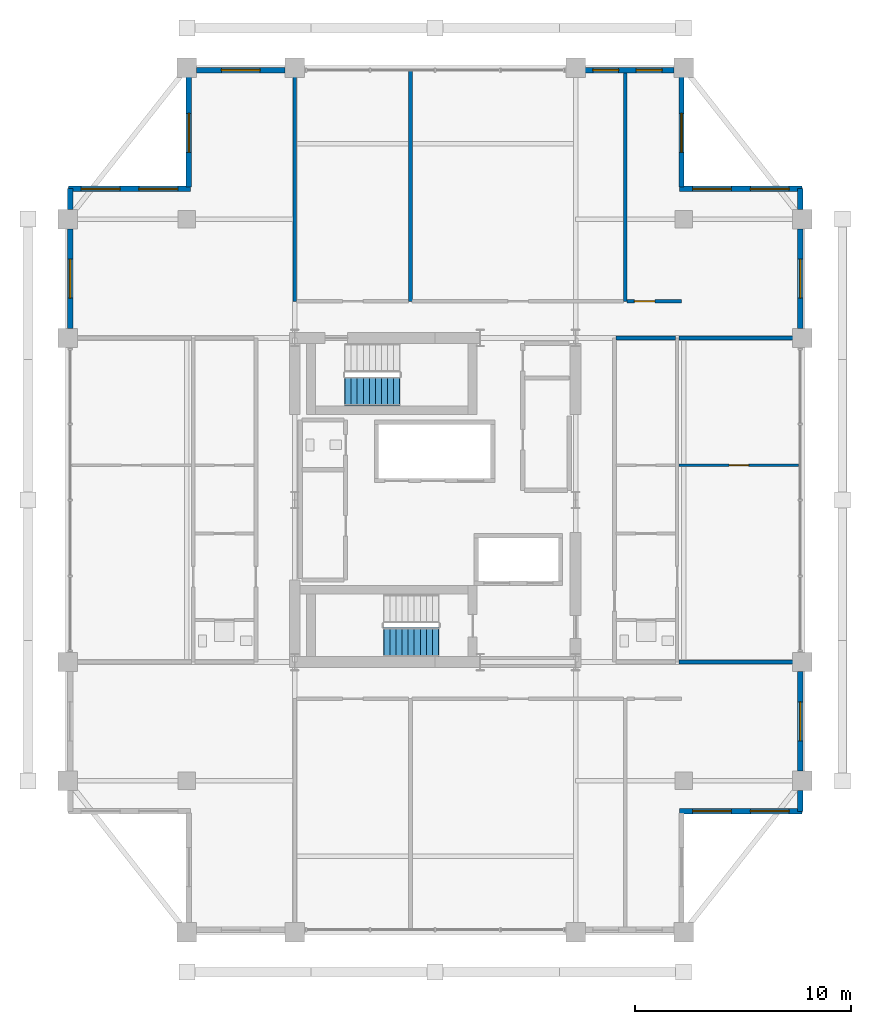
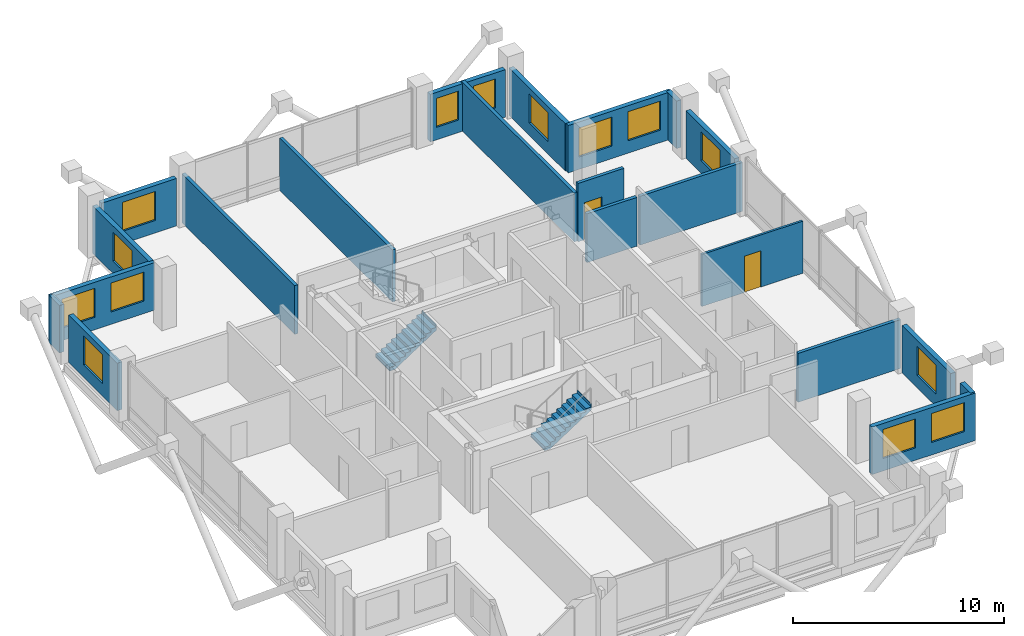
# One storey, part 20 of 23: 21 walls, 14 windows, 2 doors, 2 stair flights, 16 openings, 2 elements without a shape of their own.
"""IFC4 building model written with IfcOpenShell, lengths in metres."""

from ifc_helpers import new_model, si_unit, direction, frame, frame_2d, origin, place, context, subcontext, project, spatial, polyline, rectangle, outline, extrude, material, layer, layer_set, type_object, element, fill, aggregate, save


model = new_model("IFC4")

# Units and contexts
model_context = context("Model", 3, precision=1e-05, world=origin(), true_north=direction((0.0, 1.0)))
body_context = subcontext(model_context, "Body", "Model", "MODEL_VIEW")
ifc_project = project(units=[si_unit("LENGTHUNIT", "METRE"), si_unit("AREAUNIT", "SQUARE_METRE"), si_unit("VOLUMEUNIT", "CUBIC_METRE"), si_unit("PLANEANGLEUNIT", "RADIAN"), si_unit("MASSUNIT", "GRAM", prefix="KILO")], contexts=[model_context])

# Site, building, storey
site_placement = place(None, origin())
site = spatial("IfcSite", under=ifc_project, at=site_placement, CompositionType="ELEMENT")
building_placement = place(site_placement, origin())
building = spatial("IfcBuilding", under=site, at=building_placement, Name="Barlavira Tower and Art Museum", CompositionType="ELEMENT")
storey_placement = place(building_placement, frame((0.0, 0.0, 290.699951171875)))
storey = spatial("IfcBuildingStorey", under=building, at=storey_placement, Name="L76", CompositionType="ELEMENT", Elevation=290.699951171875)

# Wall, opening, door
ifc_material_1 = material(Name="Gypsum acoustic stud partition", Category="gypsum")
ifc_layer_1 = layer(ifc_material_1, 0.1201171875, Name="Gypsum acoustic stud partition")
ifc_layer_set_1 = layer_set([ifc_layer_1], Name="Gypsum acoustic stud partition")
wall_type_1 = type_object("IfcWallType", Name="Apartment Internal Acoustic Partition 120", PredefinedType="PARTITIONING", material=ifc_layer_set_1)
wall_1_placement = place(storey_placement, frame((11.280029296875, 1.60009765625, 0.0), z_axis=(0.0, 0.0, 1.0), x_axis=(1.0, 0.0, 0.0)))
wall_1 = element("IfcWall", 1, at=wall_1_placement, inside=storey, type_object=wall_type_1, Name="L76 Partition Wall 32", PredefinedType="PARTITIONING", context=body_context, shape_type="SweptSolid", body=[
    extrude(rectangle(XDim=5.5400390625, YDim=0.1201171875, at=frame_2d((2.77001953125, 0.0))), origin(), (0.0, 0.0, 1.0), 3.01806640625),
])
opening_1_placement = place(wall_1_placement, frame((2.330078125, 0.0, 0.0)))
opening_1 = element("IfcOpeningElement", 2, at=opening_1_placement, cuts=wall_1, Name="Opening D-01", PredefinedType="OPENING", context=body_context, shape_type="SweptSolid", body=[
    extrude(rectangle(XDim=0.89990234375, YDim=2.10009765625, at=frame_2d((0.449951171875, 1.050048828125))), frame((0.0, 0.070068359375, 0.0), z_axis=(0.0, -1.0, 0.0), x_axis=(1.0, 0.0, 0.0)), (0.0, 0.0, 1.0), 0.14013671875),
])
ifc_material_2 = material(Name="Engineered coastal hardwood", Category="wood")
door_type_1 = type_object("IfcDoorType", Name="Internal Bedroom Timber Flush Door 900x2100", OperationType="NOTDEFINED", PredefinedType="DOOR", material=ifc_material_2)
door_1_placement = place(opening_1_placement, origin())
door_1 = element("IfcDoor", 3, at=door_1_placement, inside=storey, type_object=door_type_1, Name="Apartment E1 Bedroom 1 Door", OperationType="SINGLE_SWING_LEFT", OverallHeight=2.10009765625, OverallWidth=0.89990234375, PredefinedType="DOOR", context=body_context, shape_type="SweptSolid", body=[
    extrude(rectangle(XDim=0.89990234375, YDim=2.10009765625, at=frame_2d((0.449951171875, 1.050048828125))), frame((0.0, 0.02490234375, 0.0), z_axis=(0.0, -1.0, 0.0), x_axis=(1.0, 0.0, 0.0)), (0.0, 0.0, 1.0), 0.050048828125),
])
fill(opening_1, door_1)

# Walls
ifc_layer_2 = layer(ifc_material_1, 0.179931640625, Name="Gypsum acoustic stud partition")
ifc_layer_set_2 = layer_set([ifc_layer_2], Name="Gypsum acoustic stud partition")
wall_type_2 = type_object("IfcWallType", Name="Inter-Tenancy Party Partition Wall 180", PredefinedType="PARTITIONING", material=ifc_layer_set_2)
wall_2_placement = place(storey_placement, frame((-6.5, 9.199951171875, 0.0), z_axis=(0.0, 0.0, 1.0), x_axis=(0.0, 1.0, 0.0)))
element("IfcWall", 4, at=wall_2_placement, inside=storey, type_object=wall_type_2, Name="L76 Partition Wall 4", PredefinedType="PARTITIONING", context=body_context, shape_type="SweptSolid", body=[
    extrude(rectangle(XDim=10.699951171875, YDim=0.179931640625, at=frame_2d((5.35009765625, 0.0))), origin(), (0.0, 0.0, 1.0), 2.825927734375),
])
wall_3_placement = place(storey_placement, frame((-1.14990234375, 9.199951171875, 0.0), z_axis=(0.0, 0.0, 1.0), x_axis=(0.0, 1.0, 0.0)))
element("IfcWall", 5, at=wall_3_placement, inside=storey, type_object=wall_type_2, Name="L76 Partition Wall 8", PredefinedType="PARTITIONING", context=body_context, shape_type="SweptSolid", body=[
    extrude(rectangle(XDim=10.699951171875, YDim=0.179931640625, at=frame_2d((5.35009765625, 0.0))), origin(), (0.0, 0.0, 1.0), 3.01806640625),
])
wall_4_placement = place(storey_placement, frame((8.800048828125, 9.199951171875, 0.0), z_axis=(0.0, 0.0, 1.0), x_axis=(0.0, 1.0, 0.0)))
element("IfcWall", 6, at=wall_4_placement, inside=storey, type_object=wall_type_2, Name="L76 Partition Wall 13", PredefinedType="PARTITIONING", context=body_context, shape_type="SweptSolid", body=[
    extrude(rectangle(XDim=10.699951171875, YDim=0.179931640625, at=frame_2d((5.35009765625, 0.0))), origin(), (0.0, 0.0, 1.0), 2.825927734375),
])
wall_5_placement = place(storey_placement, frame((11.280029296875, -7.5, 0.0), z_axis=(0.0, 0.0, 1.0), x_axis=(1.0, 0.0, 0.0)))
element("IfcWall", 7, at=wall_5_placement, inside=storey, type_object=wall_type_2, Name="L76 Partition Wall 21", PredefinedType="PARTITIONING", context=body_context, shape_type="SweptSolid", body=[
    extrude(rectangle(XDim=5.619873046875, YDim=0.179931640625, at=frame_2d((2.81005859375, 0.0))), origin(), (0.0, 0.0, 1.0), 2.825927734375),
])
wall_6_placement = place(storey_placement, frame((8.3798828125, 7.5, 0.0), z_axis=(0.0, 0.0, 1.0), x_axis=(1.0, 0.0, 0.0)))
element("IfcWall", 8, at=wall_6_placement, inside=storey, type_object=wall_type_2, Name="L76 Partition Wall 38", PredefinedType="PARTITIONING", context=body_context, shape_type="SweptSolid", body=[
    extrude(rectangle(XDim=2.740234375, YDim=0.179931640625, at=frame_2d((1.3701171875, 0.0))), origin(), (0.0, 0.0, 1.0), 2.825927734375),
])
wall_7_placement = place(storey_placement, frame((11.280029296875, 7.5, 0.0), z_axis=(0.0, 0.0, 1.0), x_axis=(1.0, 0.0, 0.0)))
element("IfcWall", 9, at=wall_7_placement, inside=storey, type_object=wall_type_2, Name="L76 Partition Wall 39", PredefinedType="PARTITIONING", context=body_context, shape_type="SweptSolid", body=[
    extrude(rectangle(XDim=5.619873046875, YDim=0.179931640625, at=frame_2d((2.81005859375, 0.0))), origin(), (0.0, 0.0, 1.0), 2.825927734375),
])

# Wall, opening, door
wall_8_placement = place(storey_placement, frame((8.8798828125, 9.199951171875, 0.0), z_axis=(0.0, 0.0, 1.0), x_axis=(1.0, 0.0, 0.0)))
wall_8 = element("IfcWall", 10, at=wall_8_placement, inside=storey, type_object=wall_type_2, Name="L76 Partition Wall 42", PredefinedType="PARTITIONING", context=body_context, shape_type="SweptSolid", body=[
    extrude(rectangle(XDim=2.52001953125, YDim=0.179931640625, at=frame_2d((1.260009765625, 0.0))), origin(), (0.0, 0.0, 1.0), 3.380126953125),
])
opening_2_placement = place(wall_8_placement, frame((0.344970703125, 0.0, 0.0)))
opening_2 = element("IfcOpeningElement", 11, at=opening_2_placement, cuts=wall_8, Name="Opening FD-60", PredefinedType="OPENING", context=body_context, shape_type="SweptSolid", body=[
    extrude(rectangle(XDim=0.949951171875, YDim=2.14990234375, at=frame_2d((0.47509765625, 1.074951171875))), frame((0.0, 0.10009765625, 0.0), z_axis=(0.0, -1.0, 0.0), x_axis=(1.0, 0.0, 0.0)), (0.0, 0.0, 1.0), 0.199951171875),
])
ifc_material_3 = material(Name="Brushed stainless steel", Category="steel")
door_type_2 = type_object("IfcDoorType", Name="Apartment Entrance and Riser Fire Door 950x2150 FD60S", OperationType="NOTDEFINED", PredefinedType="DOOR", material=ifc_material_3)
door_2_placement = place(opening_2_placement, origin())
door_2 = element("IfcDoor", 12, at=door_2_placement, inside=storey, type_object=door_type_2, Name="Shared Coworking Espresso Pantry Door", OperationType="SINGLE_SWING_LEFT", OverallHeight=2.14990234375, OverallWidth=0.949951171875, PredefinedType="DOOR", context=body_context, shape_type="SweptSolid", body=[
    extrude(rectangle(XDim=0.949951171875, YDim=2.14990234375, at=frame_2d((0.47509765625, 1.074951171875))), frame((0.0, 0.02490234375, 0.0), z_axis=(0.0, -1.0, 0.0), x_axis=(1.0, 0.0, 0.0)), (0.0, 0.0, 1.0), 0.050048828125),
])
fill(opening_2, door_2)

# Wall, openings, windows
ifc_material_4 = material(Name="Precast concrete C40", Category="concrete")
ifc_layer_3 = layer(ifc_material_4, 0.25, Name="Precast concrete C40")
ifc_layer_set_3 = layer_set([ifc_layer_3], Name="Precast concrete C40")
wall_type_3 = type_object("IfcWallType", Name="Notched Corner Spandrel Wall 250 Precast Concrete C40", PredefinedType="SOLIDWALL", material=ifc_layer_set_3)
wall_9_placement = place(storey_placement, frame((11.054931640625, 19.89990234375, 0.0), z_axis=(0.0, 0.0, 1.0), x_axis=(-1.0, 0.0, 0.0)))
wall_9 = element("IfcWall", 13, at=wall_9_placement, inside=storey, type_object=wall_type_3, Name="L76 Coastal Facade Pier Wall CW4-L76-N-1", PredefinedType="SOLIDWALL", context=body_context, shape_type="SweptSolid", body=[
    extrude(rectangle(XDim=4.10986328125, YDim=0.25, at=frame_2d((2.054931640625, 0.0))), origin(), (0.0, 0.0, 1.0), 2.748046875),
])
opening_3_placement = place(wall_9_placement, frame((0.550048828125, 0.0, 0.719970703125)))
opening_3 = element("IfcOpeningElement", 14, at=opening_3_placement, cuts=wall_9, Name="Opening WN-05", PredefinedType="OPENING", context=body_context, shape_type="SweptSolid", body=[
    extrude(rectangle(XDim=1.199951171875, YDim=1.679931640625, at=frame_2d((0.60009765625, 0.83984375))), frame((0.0, 0.135009765625, 0.0), z_axis=(0.0, -1.0, 0.0), x_axis=(1.0, 0.0, 0.0)), (0.0, 0.0, 1.0), 0.27001953125),
])
opening_4_placement = place(wall_9_placement, frame((2.56005859375, 0.0, 0.719970703125)))
opening_4 = element("IfcOpeningElement", 15, at=opening_4_placement, cuts=wall_9, Name="Opening WN-05", PredefinedType="OPENING", context=body_context, shape_type="SweptSolid", body=[
    extrude(rectangle(XDim=1.199951171875, YDim=1.679931640625, at=frame_2d((0.60009765625, 0.83984375))), frame((0.0, 0.135009765625, 0.0), z_axis=(0.0, -1.0, 0.0), x_axis=(1.0, 0.0, 0.0)), (0.0, 0.0, 1.0), 0.27001953125),
])
ifc_material_5 = material(Name="Low-iron coastal laminated glass", Category="glass")
window_type_1 = type_object("IfcWindowType", Name="Recessed Flank Pier Punch Window 1200x1680", PartitioningType="SINGLE_PANEL", PredefinedType="WINDOW", material=ifc_material_5)
window_1_placement = place(opening_3_placement, origin())
window_1 = element("IfcWindow", 16, at=window_1_placement, inside=storey, type_object=window_type_1, Name="L76 Punched Facade Window EWP-CW4-L76-N-1-1", OverallHeight=1.679931640625, OverallWidth=1.199951171875, PartitioningType="SINGLE_PANEL", PredefinedType="WINDOW", context=body_context, shape_type="SweptSolid", body=[
    extrude(rectangle(XDim=1.199951171875, YDim=1.679931640625, at=frame_2d((0.60009765625, 0.83984375))), frame((0.0, 0.030029296875, 0.0), z_axis=(0.0, -1.0, 0.0), x_axis=(1.0, 0.0, 0.0)), (0.0, 0.0, 1.0), 0.06005859375),
])
fill(opening_3, window_1)
window_2_placement = place(opening_4_placement, origin())
window_2 = element("IfcWindow", 17, at=window_2_placement, inside=storey, type_object=window_type_1, Name="L76 Punched Facade Window EWP-CW4-L76-N-1-2", OverallHeight=1.679931640625, OverallWidth=1.199951171875, PartitioningType="SINGLE_PANEL", PredefinedType="WINDOW", context=body_context, shape_type="SweptSolid", body=[
    extrude(rectangle(XDim=1.199951171875, YDim=1.679931640625, at=frame_2d((0.60009765625, 0.83984375))), frame((0.0, 0.030029296875, 0.0), z_axis=(0.0, -1.0, 0.0), x_axis=(1.0, 0.0, 0.0)), (0.0, 0.0, 1.0), 0.06005859375),
])
fill(opening_4, window_2)

# Wall, opening, window
wall_10_placement = place(storey_placement, frame((-6.945068359375, 19.89990234375, 0.0), z_axis=(0.0, 0.0, 1.0), x_axis=(-1.0, 0.0, 0.0)))
wall_10 = element("IfcWall", 18, at=wall_10_placement, inside=storey, type_object=wall_type_3, Name="L76 Coastal Facade Pier Wall CW4-L76-N-3", PredefinedType="SOLIDWALL", context=body_context, shape_type="SweptSolid", body=[
    extrude(rectangle(XDim=4.10986328125, YDim=0.25, at=frame_2d((2.054931640625, 0.0))), origin(), (0.0, 0.0, 1.0), 2.748046875),
])
opening_5_placement = place(wall_10_placement, frame((1.155029296875, 0.0, 0.719970703125)))
opening_5 = element("IfcOpeningElement", 19, at=opening_5_placement, cuts=wall_10, Name="Opening WN-01", PredefinedType="OPENING", context=body_context, shape_type="SweptSolid", body=[
    extrude(rectangle(XDim=1.800048828125, YDim=1.679931640625, at=frame_2d((0.89990234375, 0.83984375))), frame((0.0, 0.135009765625, 0.0), z_axis=(0.0, -1.0, 0.0), x_axis=(1.0, 0.0, 0.0)), (0.0, 0.0, 1.0), 0.27001953125),
])
window_type_2 = type_object("IfcWindowType", Name="Recessed Notch Corner Punch Window 1800x1680", PartitioningType="SINGLE_PANEL", PredefinedType="WINDOW", material=ifc_material_5)
window_3_placement = place(opening_5_placement, origin())
window_3 = element("IfcWindow", 20, at=window_3_placement, inside=storey, type_object=window_type_2, Name="L76 Punched Facade Window EWP-CW4-L76-N-3-1", OverallHeight=1.679931640625, OverallWidth=1.800048828125, PartitioningType="SINGLE_PANEL", PredefinedType="WINDOW", context=body_context, shape_type="SweptSolid", body=[
    extrude(rectangle(XDim=1.800048828125, YDim=1.679931640625, at=frame_2d((0.89990234375, 0.83984375))), frame((0.0, 0.030029296875, 0.0), z_axis=(0.0, -1.0, 0.0), x_axis=(1.0, 0.0, 0.0)), (0.0, 0.0, 1.0), 0.06005859375),
])
fill(opening_5, window_3)

# Wall
wall_11_placement = place(storey_placement, frame((-16.89990234375, 14.425048828125, 0.0), z_axis=(0.0, 0.0, 1.0), x_axis=(0.0, -1.0, 0.0)))
element("IfcWall", 21, at=wall_11_placement, inside=storey, type_object=wall_type_3, Name="L76 Coastal Facade Pier Wall CW4-L76-W-1", PredefinedType="SOLIDWALL", context=body_context, shape_type="SweptSolid", body=[
    extrude(rectangle(XDim=0.97998046875, YDim=0.25, at=frame_2d((0.489990234375, 0.0))), origin(), (0.0, 0.0, 1.0), 2.748046875),
])

# Wall, opening, window
wall_12_placement = place(storey_placement, frame((-16.89990234375, 12.554931640625, 0.0), z_axis=(0.0, 0.0, 1.0), x_axis=(0.0, -1.0, 0.0)))
wall_12 = element("IfcWall", 22, at=wall_12_placement, inside=storey, type_object=wall_type_3, Name="L76 Coastal Facade Pier Wall CW4-L76-W-2", PredefinedType="SOLIDWALL", context=body_context, shape_type="SweptSolid", body=[
    extrude(rectangle(XDim=4.60986328125, YDim=0.25, at=frame_2d((2.304931640625, 0.0))), origin(), (0.0, 0.0, 1.0), 2.748046875),
])
opening_6_placement = place(wall_12_placement, frame((1.405029296875, 0.0, 0.719970703125)))
opening_6 = element("IfcOpeningElement", 23, at=opening_6_placement, cuts=wall_12, Name="Opening WN-01", PredefinedType="OPENING", context=body_context, shape_type="SweptSolid", body=[
    extrude(rectangle(XDim=1.800048828125, YDim=1.679931640625, at=frame_2d((0.89990234375, 0.83984375))), frame((0.0, 0.135009765625, 0.0), z_axis=(0.0, -1.0, 0.0), x_axis=(1.0, 0.0, 0.0)), (0.0, 0.0, 1.0), 0.27001953125),
])
window_4_placement = place(opening_6_placement, origin())
window_4 = element("IfcWindow", 24, at=window_4_placement, inside=storey, type_object=window_type_2, Name="L76 Punched Facade Window EWP-CW4-L76-W-2-1", OverallHeight=1.679931640625, OverallWidth=1.800048828125, PartitioningType="SINGLE_PANEL", PredefinedType="WINDOW", context=body_context, shape_type="SweptSolid", body=[
    extrude(rectangle(XDim=1.800048828125, YDim=1.679931640625, at=frame_2d((0.89990234375, 0.83984375))), frame((0.0, 0.030029296875, 0.0), z_axis=(0.0, -1.0, 0.0), x_axis=(1.0, 0.0, 0.0)), (0.0, 0.0, 1.0), 0.06005859375),
])
fill(opening_6, window_4)

# Wall
wall_13_placement = place(storey_placement, frame((16.89990234375, -14.425048828125, 0.0), z_axis=(0.0, 0.0, 1.0), x_axis=(0.0, 1.0, 0.0)))
element("IfcWall", 25, at=wall_13_placement, inside=storey, type_object=wall_type_3, Name="L76 Coastal Facade Pier Wall CW4-L76-E-1", PredefinedType="SOLIDWALL", context=body_context, shape_type="SweptSolid", body=[
    extrude(rectangle(XDim=0.97998046875, YDim=0.25, at=frame_2d((0.489990234375, 0.0))), origin(), (0.0, 0.0, 1.0), 2.748046875),
])

# Wall, opening, window
wall_14_placement = place(storey_placement, frame((16.89990234375, -12.554931640625, 0.0), z_axis=(0.0, 0.0, 1.0), x_axis=(0.0, 1.0, 0.0)))
wall_14 = element("IfcWall", 26, at=wall_14_placement, inside=storey, type_object=wall_type_3, Name="L76 Coastal Facade Pier Wall CW4-L76-E-2", PredefinedType="SOLIDWALL", context=body_context, shape_type="SweptSolid", body=[
    extrude(rectangle(XDim=4.60986328125, YDim=0.25, at=frame_2d((2.304931640625, 0.0))), origin(), (0.0, 0.0, 1.0), 2.748046875),
])
opening_7_placement = place(wall_14_placement, frame((1.405029296875, 0.0, 0.719970703125)))
opening_7 = element("IfcOpeningElement", 27, at=opening_7_placement, cuts=wall_14, Name="Opening WN-01", PredefinedType="OPENING", context=body_context, shape_type="SweptSolid", body=[
    extrude(rectangle(XDim=1.800048828125, YDim=1.679931640625, at=frame_2d((0.89990234375, 0.83984375))), frame((0.0, 0.135009765625, 0.0), z_axis=(0.0, -1.0, 0.0), x_axis=(1.0, 0.0, 0.0)), (0.0, 0.0, 1.0), 0.27001953125),
])
window_5_placement = place(opening_7_placement, origin())
window_5 = element("IfcWindow", 28, at=window_5_placement, inside=storey, type_object=window_type_2, Name="L76 Punched Facade Window EWP-CW4-L76-E-2-1", OverallHeight=1.679931640625, OverallWidth=1.800048828125, PartitioningType="SINGLE_PANEL", PredefinedType="WINDOW", context=body_context, shape_type="SweptSolid", body=[
    extrude(rectangle(XDim=1.800048828125, YDim=1.679931640625, at=frame_2d((0.89990234375, 0.83984375))), frame((0.0, 0.030029296875, 0.0), z_axis=(0.0, -1.0, 0.0), x_axis=(1.0, 0.0, 0.0)), (0.0, 0.0, 1.0), 0.06005859375),
])
fill(opening_7, window_5)

wall_15_placement = place(storey_placement, frame((16.89990234375, 7.945068359375, 0.0), z_axis=(0.0, 0.0, 1.0), x_axis=(0.0, 1.0, 0.0)))
wall_15 = element("IfcWall", 29, at=wall_15_placement, inside=storey, type_object=wall_type_3, Name="L76 Coastal Facade Pier Wall CW4-L76-E-4", PredefinedType="SOLIDWALL", context=body_context, shape_type="SweptSolid", body=[
    extrude(rectangle(XDim=4.60986328125, YDim=0.25, at=frame_2d((2.304931640625, 0.0))), origin(), (0.0, 0.0, 1.0), 2.748046875),
])
opening_8_placement = place(wall_15_placement, frame((1.405029296875, 0.0, 0.719970703125)))
opening_8 = element("IfcOpeningElement", 30, at=opening_8_placement, cuts=wall_15, Name="Opening WN-01", PredefinedType="OPENING", context=body_context, shape_type="SweptSolid", body=[
    extrude(rectangle(XDim=1.800048828125, YDim=1.679931640625, at=frame_2d((0.89990234375, 0.83984375))), frame((0.0, 0.135009765625, 0.0), z_axis=(0.0, -1.0, 0.0), x_axis=(1.0, 0.0, 0.0)), (0.0, 0.0, 1.0), 0.27001953125),
])
window_6_placement = place(opening_8_placement, origin())
window_6 = element("IfcWindow", 31, at=window_6_placement, inside=storey, type_object=window_type_2, Name="L76 Punched Facade Window EWP-CW4-L76-E-4-1", OverallHeight=1.679931640625, OverallWidth=1.800048828125, PartitioningType="SINGLE_PANEL", PredefinedType="WINDOW", context=body_context, shape_type="SweptSolid", body=[
    extrude(rectangle(XDim=1.800048828125, YDim=1.679931640625, at=frame_2d((0.89990234375, 0.83984375))), frame((0.0, 0.030029296875, 0.0), z_axis=(0.0, -1.0, 0.0), x_axis=(1.0, 0.0, 0.0)), (0.0, 0.0, 1.0), 0.06005859375),
])
fill(opening_8, window_6)

# Wall
wall_16_placement = place(storey_placement, frame((16.89990234375, 13.445068359375, 0.0), z_axis=(0.0, 0.0, 1.0), x_axis=(0.0, 1.0, 0.0)))
element("IfcWall", 32, at=wall_16_placement, inside=storey, type_object=wall_type_3, Name="L76 Coastal Facade Pier Wall CW4-L76-E-5", PredefinedType="SOLIDWALL", context=body_context, shape_type="SweptSolid", body=[
    extrude(rectangle(XDim=0.97998046875, YDim=0.25, at=frame_2d((0.489990234375, 0.0))), origin(), (0.0, 0.0, 1.0), 2.748046875),
])

# Wall, openings, windows
wall_17_placement = place(storey_placement, frame((11.320068359375, -14.39990234375, 0.0), z_axis=(0.0, 0.0, 1.0), x_axis=(1.0, 0.0, 0.0)))
wall_17 = element("IfcWall", 33, at=wall_17_placement, inside=storey, type_object=wall_type_3, Name="L76 Notch Corner Wall SE2", PredefinedType="SOLIDWALL", context=body_context, shape_type="SweptSolid", body=[
    extrude(rectangle(XDim=5.659912109375, YDim=0.25, at=frame_2d((2.830078125, 0.0))), origin(), (0.0, 0.0, 1.0), 2.748046875),
])
opening_9_placement = place(wall_17_placement, frame((0.594970703125, 0.0, 0.719970703125)))
opening_9 = element("IfcOpeningElement", 34, at=opening_9_placement, cuts=wall_17, Name="Opening WN-01", PredefinedType="OPENING", context=body_context, shape_type="SweptSolid", body=[
    extrude(rectangle(XDim=1.800048828125, YDim=1.679931640625, at=frame_2d((0.89990234375, 0.83984375))), frame((0.0, 0.135009765625, 0.0), z_axis=(0.0, -1.0, 0.0), x_axis=(1.0, 0.0, 0.0)), (0.0, 0.0, 1.0), 0.27001953125),
])
opening_10_placement = place(wall_17_placement, frame((3.264892578125, 0.0, 0.719970703125)))
opening_10 = element("IfcOpeningElement", 35, at=opening_10_placement, cuts=wall_17, Name="Opening WN-01", PredefinedType="OPENING", context=body_context, shape_type="SweptSolid", body=[
    extrude(rectangle(XDim=1.800048828125, YDim=1.679931640625, at=frame_2d((0.89990234375, 0.83984375))), frame((0.0, 0.135009765625, 0.0), z_axis=(0.0, -1.0, 0.0), x_axis=(1.0, 0.0, 0.0)), (0.0, 0.0, 1.0), 0.27001953125),
])
window_7_placement = place(opening_9_placement, origin())
window_7 = element("IfcWindow", 36, at=window_7_placement, inside=storey, type_object=window_type_2, Name="L76 Punched Facade Window EW-NTC-L76-SE2-1", OverallHeight=1.679931640625, OverallWidth=1.800048828125, PartitioningType="SINGLE_PANEL", PredefinedType="WINDOW", context=body_context, shape_type="SweptSolid", body=[
    extrude(rectangle(XDim=1.800048828125, YDim=1.679931640625, at=frame_2d((0.89990234375, 0.83984375))), frame((0.0, 0.030029296875, 0.0), z_axis=(0.0, -1.0, 0.0), x_axis=(1.0, 0.0, 0.0)), (0.0, 0.0, 1.0), 0.06005859375),
])
fill(opening_9, window_7)
window_8_placement = place(opening_10_placement, origin())
window_8 = element("IfcWindow", 37, at=window_8_placement, inside=storey, type_object=window_type_2, Name="L76 Punched Facade Window EW-NTC-L76-SE2-2", OverallHeight=1.679931640625, OverallWidth=1.800048828125, PartitioningType="SINGLE_PANEL", PredefinedType="WINDOW", context=body_context, shape_type="SweptSolid", body=[
    extrude(rectangle(XDim=1.800048828125, YDim=1.679931640625, at=frame_2d((0.89990234375, 0.83984375))), frame((0.0, 0.030029296875, 0.0), z_axis=(0.0, -1.0, 0.0), x_axis=(1.0, 0.0, 0.0)), (0.0, 0.0, 1.0), 0.06005859375),
])
fill(opening_10, window_8)

wall_18_placement = place(storey_placement, frame((16.97998046875, 14.39990234375, 0.0), z_axis=(0.0, 0.0, 1.0), x_axis=(-1.0, 0.0, 0.0)))
wall_18 = element("IfcWall", 38, at=wall_18_placement, inside=storey, type_object=wall_type_3, Name="L76 Notch Corner Wall NE1", PredefinedType="SOLIDWALL", context=body_context, shape_type="SweptSolid", body=[
    extrude(rectangle(XDim=5.659912109375, YDim=0.25, at=frame_2d((2.830078125, 0.0))), origin(), (0.0, 0.0, 1.0), 2.748046875),
])
opening_11_placement = place(wall_18_placement, frame((0.594970703125, 0.0, 0.719970703125)))
opening_11 = element("IfcOpeningElement", 39, at=opening_11_placement, cuts=wall_18, Name="Opening WN-01", PredefinedType="OPENING", context=body_context, shape_type="SweptSolid", body=[
    extrude(rectangle(XDim=1.800048828125, YDim=1.679931640625, at=frame_2d((0.89990234375, 0.83984375))), frame((0.0, 0.135009765625, 0.0), z_axis=(0.0, -1.0, 0.0), x_axis=(1.0, 0.0, 0.0)), (0.0, 0.0, 1.0), 0.27001953125),
])
opening_12_placement = place(wall_18_placement, frame((3.264892578125, 0.0, 0.719970703125)))
opening_12 = element("IfcOpeningElement", 40, at=opening_12_placement, cuts=wall_18, Name="Opening WN-01", PredefinedType="OPENING", context=body_context, shape_type="SweptSolid", body=[
    extrude(rectangle(XDim=1.800048828125, YDim=1.679931640625, at=frame_2d((0.89990234375, 0.83984375))), frame((0.0, 0.135009765625, 0.0), z_axis=(0.0, -1.0, 0.0), x_axis=(1.0, 0.0, 0.0)), (0.0, 0.0, 1.0), 0.27001953125),
])
window_9_placement = place(opening_11_placement, origin())
window_9 = element("IfcWindow", 41, at=window_9_placement, inside=storey, type_object=window_type_2, Name="L76 Punched Facade Window EW-NTC-L76-NE1-1", OverallHeight=1.679931640625, OverallWidth=1.800048828125, PartitioningType="SINGLE_PANEL", PredefinedType="WINDOW", context=body_context, shape_type="SweptSolid", body=[
    extrude(rectangle(XDim=1.800048828125, YDim=1.679931640625, at=frame_2d((0.89990234375, 0.83984375))), frame((0.0, 0.030029296875, 0.0), z_axis=(0.0, -1.0, 0.0), x_axis=(1.0, 0.0, 0.0)), (0.0, 0.0, 1.0), 0.06005859375),
])
fill(opening_11, window_9)
window_10_placement = place(opening_12_placement, origin())
window_10 = element("IfcWindow", 42, at=window_10_placement, inside=storey, type_object=window_type_2, Name="L76 Punched Facade Window EW-NTC-L76-NE1-2", OverallHeight=1.679931640625, OverallWidth=1.800048828125, PartitioningType="SINGLE_PANEL", PredefinedType="WINDOW", context=body_context, shape_type="SweptSolid", body=[
    extrude(rectangle(XDim=1.800048828125, YDim=1.679931640625, at=frame_2d((0.89990234375, 0.83984375))), frame((0.0, 0.030029296875, 0.0), z_axis=(0.0, -1.0, 0.0), x_axis=(1.0, 0.0, 0.0)), (0.0, 0.0, 1.0), 0.06005859375),
])
fill(opening_12, window_10)

# Wall, opening, window
wall_19_placement = place(storey_placement, frame((11.39990234375, 14.47998046875, 0.0), z_axis=(0.0, 0.0, 1.0), x_axis=(0.0, 1.0, 0.0)))
wall_19 = element("IfcWall", 43, at=wall_19_placement, inside=storey, type_object=wall_type_3, Name="L76 Notch Corner Wall NE2", PredefinedType="SOLIDWALL", context=body_context, shape_type="SweptSolid", body=[
    extrude(rectangle(XDim=5.340087890625, YDim=0.25, at=frame_2d((2.669921875, 0.0))), origin(), (0.0, 0.0, 1.0), 2.748046875),
])
opening_13_placement = place(wall_19_placement, frame((1.614990234375, 0.0, 0.719970703125)))
opening_13 = element("IfcOpeningElement", 44, at=opening_13_placement, cuts=wall_19, Name="Opening WN-01", PredefinedType="OPENING", context=body_context, shape_type="SweptSolid", body=[
    extrude(rectangle(XDim=1.800048828125, YDim=1.679931640625, at=frame_2d((0.89990234375, 0.83984375))), frame((0.0, 0.135009765625, 0.0), z_axis=(0.0, -1.0, 0.0), x_axis=(1.0, 0.0, 0.0)), (0.0, 0.0, 1.0), 0.27001953125),
])
window_11_placement = place(opening_13_placement, origin())
window_11 = element("IfcWindow", 45, at=window_11_placement, inside=storey, type_object=window_type_2, Name="L76 Punched Facade Window EW-NTC-L76-NE2-1", OverallHeight=1.679931640625, OverallWidth=1.800048828125, PartitioningType="SINGLE_PANEL", PredefinedType="WINDOW", context=body_context, shape_type="SweptSolid", body=[
    extrude(rectangle(XDim=1.800048828125, YDim=1.679931640625, at=frame_2d((0.89990234375, 0.83984375))), frame((0.0, 0.030029296875, 0.0), z_axis=(0.0, -1.0, 0.0), x_axis=(1.0, 0.0, 0.0)), (0.0, 0.0, 1.0), 0.06005859375),
])
fill(opening_13, window_11)

wall_20_placement = place(storey_placement, frame((-11.39990234375, 19.820068359375, 0.0), z_axis=(0.0, 0.0, 1.0), x_axis=(0.0, -1.0, 0.0)))
wall_20 = element("IfcWall", 46, at=wall_20_placement, inside=storey, type_object=wall_type_3, Name="L76 Notch Corner Wall NW1", PredefinedType="SOLIDWALL", context=body_context, shape_type="SweptSolid", body=[
    extrude(rectangle(XDim=5.340087890625, YDim=0.25, at=frame_2d((2.669921875, 0.0))), origin(), (0.0, 0.0, 1.0), 2.748046875),
])
opening_14_placement = place(wall_20_placement, frame((1.925048828125, 0.0, 0.719970703125)))
opening_14 = element("IfcOpeningElement", 47, at=opening_14_placement, cuts=wall_20, Name="Opening WN-01", PredefinedType="OPENING", context=body_context, shape_type="SweptSolid", body=[
    extrude(rectangle(XDim=1.800048828125, YDim=1.679931640625, at=frame_2d((0.89990234375, 0.83984375))), frame((0.0, 0.135009765625, 0.0), z_axis=(0.0, -1.0, 0.0), x_axis=(1.0, 0.0, 0.0)), (0.0, 0.0, 1.0), 0.27001953125),
])
window_12_placement = place(opening_14_placement, origin())
window_12 = element("IfcWindow", 48, at=window_12_placement, inside=storey, type_object=window_type_2, Name="L76 Punched Facade Window EW-NTC-L76-NW1-1", OverallHeight=1.679931640625, OverallWidth=1.800048828125, PartitioningType="SINGLE_PANEL", PredefinedType="WINDOW", context=body_context, shape_type="SweptSolid", body=[
    extrude(rectangle(XDim=1.800048828125, YDim=1.679931640625, at=frame_2d((0.89990234375, 0.83984375))), frame((0.0, 0.030029296875, 0.0), z_axis=(0.0, -1.0, 0.0), x_axis=(1.0, 0.0, 0.0)), (0.0, 0.0, 1.0), 0.06005859375),
])
fill(opening_14, window_12)

# Wall, openings, windows
wall_21_placement = place(storey_placement, frame((-11.320068359375, 14.39990234375, 0.0), z_axis=(0.0, 0.0, 1.0), x_axis=(-1.0, 0.0, 0.0)))
wall_21 = element("IfcWall", 49, at=wall_21_placement, inside=storey, type_object=wall_type_3, Name="L76 Notch Corner Wall NW2", PredefinedType="SOLIDWALL", context=body_context, shape_type="SweptSolid", body=[
    extrude(rectangle(XDim=5.659912109375, YDim=0.25, at=frame_2d((2.830078125, 0.0))), origin(), (0.0, 0.0, 1.0), 2.748046875),
])
opening_15_placement = place(wall_21_placement, frame((0.594970703125, 0.0, 0.719970703125)))
opening_15 = element("IfcOpeningElement", 50, at=opening_15_placement, cuts=wall_21, Name="Opening WN-01", PredefinedType="OPENING", context=body_context, shape_type="SweptSolid", body=[
    extrude(rectangle(XDim=1.800048828125, YDim=1.679931640625, at=frame_2d((0.89990234375, 0.83984375))), frame((0.0, 0.135009765625, 0.0), z_axis=(0.0, -1.0, 0.0), x_axis=(1.0, 0.0, 0.0)), (0.0, 0.0, 1.0), 0.27001953125),
])
opening_16_placement = place(wall_21_placement, frame((3.264892578125, 0.0, 0.719970703125)))
opening_16 = element("IfcOpeningElement", 51, at=opening_16_placement, cuts=wall_21, Name="Opening WN-01", PredefinedType="OPENING", context=body_context, shape_type="SweptSolid", body=[
    extrude(rectangle(XDim=1.800048828125, YDim=1.679931640625, at=frame_2d((0.89990234375, 0.83984375))), frame((0.0, 0.135009765625, 0.0), z_axis=(0.0, -1.0, 0.0), x_axis=(1.0, 0.0, 0.0)), (0.0, 0.0, 1.0), 0.27001953125),
])
window_13_placement = place(opening_15_placement, origin())
window_13 = element("IfcWindow", 52, at=window_13_placement, inside=storey, type_object=window_type_2, Name="L76 Punched Facade Window EW-NTC-L76-NW2-1", OverallHeight=1.679931640625, OverallWidth=1.800048828125, PartitioningType="SINGLE_PANEL", PredefinedType="WINDOW", context=body_context, shape_type="SweptSolid", body=[
    extrude(rectangle(XDim=1.800048828125, YDim=1.679931640625, at=frame_2d((0.89990234375, 0.83984375))), frame((0.0, 0.030029296875, 0.0), z_axis=(0.0, -1.0, 0.0), x_axis=(1.0, 0.0, 0.0)), (0.0, 0.0, 1.0), 0.06005859375),
])
fill(opening_15, window_13)
window_14_placement = place(opening_16_placement, origin())
window_14 = element("IfcWindow", 53, at=window_14_placement, inside=storey, type_object=window_type_2, Name="L76 Punched Facade Window EW-NTC-L76-NW2-2", OverallHeight=1.679931640625, OverallWidth=1.800048828125, PartitioningType="SINGLE_PANEL", PredefinedType="WINDOW", context=body_context, shape_type="SweptSolid", body=[
    extrude(rectangle(XDim=1.800048828125, YDim=1.679931640625, at=frame_2d((0.89990234375, 0.83984375))), frame((0.0, 0.030029296875, 0.0), z_axis=(0.0, -1.0, 0.0), x_axis=(1.0, 0.0, 0.0)), (0.0, 0.0, 1.0), 0.06005859375),
])
fill(opening_16, window_14)

# Stair, stair flight
ifc_material_6 = material(Name="Concrete C45", Category="concrete")
stair_type_1 = type_object("IfcStairType", Name="Tower North Dog-Leg Exit Stair Assembly Concrete C45", PredefinedType="TWO_QUARTER_TURN_STAIR", material=ifc_material_6)
stair_1_placement = place(storey_placement, origin())
stair_1 = element("IfcStair", 54, at=stair_1_placement, inside=storey, type_object=stair_type_1, Name="L76 Tower North Exit Stair ST-T2", PredefinedType="TWO_QUARTER_TURN_STAIR")
ifc_material_7 = material(Name="Precast concrete C45", Category="concrete")
stair_flight_type_1 = type_object("IfcStairFlightType", Name="Tower North Dog-Leg Exit Stair Precast Flight 1350 Concrete C45", PredefinedType="STRAIGHT", material=ifc_material_7)
stair_flight_1_placement = place(storey_placement, frame((-4.169921875, 5.02490234375, 0.0), z_axis=(0.0, 0.0, 1.0), x_axis=(1.0, 0.0, 0.0)))
stair_flight_1 = element("IfcStairFlight", 55, at=stair_flight_1_placement, type_object=stair_flight_type_1, Name="ST-T2 flight 1", NumberOfRisers=10, NumberOfTreads=9, PredefinedType="STRAIGHT", RiserHeight=0.18, TreadLength=0.28, context=body_context, shape_type="SweptSolid", body=[
    extrude(outline(polyline([(-0.02490234375, 0.0), (0.0, 0.0), (0.0, 0.179931640625), (0.280029296875, 0.179931640625), (0.280029296875, 0.360107421875), (0.56005859375, 0.360107421875), (0.56005859375, 0.5400390625), (0.840087890625, 0.5400390625), (0.840087890625, 0.719970703125), (1.1201171875, 0.719970703125), (1.1201171875, 0.89990234375), (1.39990234375, 0.89990234375), (1.39990234375, 1.080078125), (1.679931640625, 1.080078125), (1.679931640625, 1.260009765625), (1.9599609375, 1.260009765625), (1.9599609375, 1.43994140625), (2.239990234375, 1.43994140625), (2.239990234375, 1.6201171875), (2.52001953125, 1.6201171875), (2.52001953125, 1.800048828125), (2.544921875, 1.800048828125), (2.544921875, 1.44189453125), (2.52001953125, 1.44189453125), (0.277099609375, -0.02490234375), (-0.02490234375, -0.02490234375), (-0.02490234375, 0.0)])), frame((0.0, 0.675048828125, 0.0), z_axis=(0.0, -1.0, 0.0), x_axis=(1.0, 0.0, 0.0)), (0.0, 0.0, 1.0), 1.35009765625),
])
aggregate(stair_1, [stair_flight_1])

stair_type_2 = type_object("IfcStairType", Name="Tower South Dog-Leg Exit Stair Assembly Concrete C45", PredefinedType="TWO_QUARTER_TURN_STAIR", material=ifc_material_6)
stair_2_placement = place(storey_placement, origin())
stair_2 = element("IfcStair", 56, at=stair_2_placement, inside=storey, type_object=stair_type_2, Name="L76 Tower South Exit Stair ST-T1", PredefinedType="TWO_QUARTER_TURN_STAIR")
stair_flight_type_2 = type_object("IfcStairFlightType", Name="Tower South Dog-Leg Exit Stair Precast Flight 1350 Concrete C45", PredefinedType="STRAIGHT", material=ifc_material_7)
stair_flight_2_placement = place(storey_placement, frame((-2.3701171875, -6.574951171875, 1.800048828125), z_axis=(0.0, 0.0, 1.0), x_axis=(1.0, 0.0, 0.0)))
stair_flight_2 = element("IfcStairFlight", 57, at=stair_flight_2_placement, type_object=stair_flight_type_2, Name="ST-T1 flight 2", NumberOfRisers=10, NumberOfTreads=9, PredefinedType="STRAIGHT", RiserHeight=0.18, TreadLength=0.28, context=body_context, shape_type="SweptSolid", body=[
    extrude(outline(polyline([(-0.02490234375, 0.0), (0.0, 0.0), (0.0, 0.179931640625), (0.280029296875, 0.179931640625), (0.280029296875, 0.360107421875), (0.56005859375, 0.360107421875), (0.56005859375, 0.5400390625), (0.840087890625, 0.5400390625), (0.840087890625, 0.719970703125), (1.1201171875, 0.719970703125), (1.1201171875, 0.89990234375), (1.39990234375, 0.89990234375), (1.39990234375, 1.080078125), (1.679931640625, 1.080078125), (1.679931640625, 1.260009765625), (1.9599609375, 1.260009765625), (1.9599609375, 1.43994140625), (2.239990234375, 1.43994140625), (2.239990234375, 1.6201171875), (2.52001953125, 1.6201171875), (2.52001953125, 1.800048828125), (2.544921875, 1.800048828125), (2.544921875, 1.44189453125), (2.52001953125, 1.44189453125), (0.277099609375, -0.02490234375), (-0.02490234375, -0.02490234375), (-0.02490234375, 0.0)])), frame((0.0, 0.675048828125, 0.0), z_axis=(0.0, -1.0, 0.0), x_axis=(1.0, 0.0, 0.0)), (0.0, 0.0, 1.0), 1.35009765625),
])
aggregate(stair_2, [stair_flight_2])

save(model, "model.ifc")
